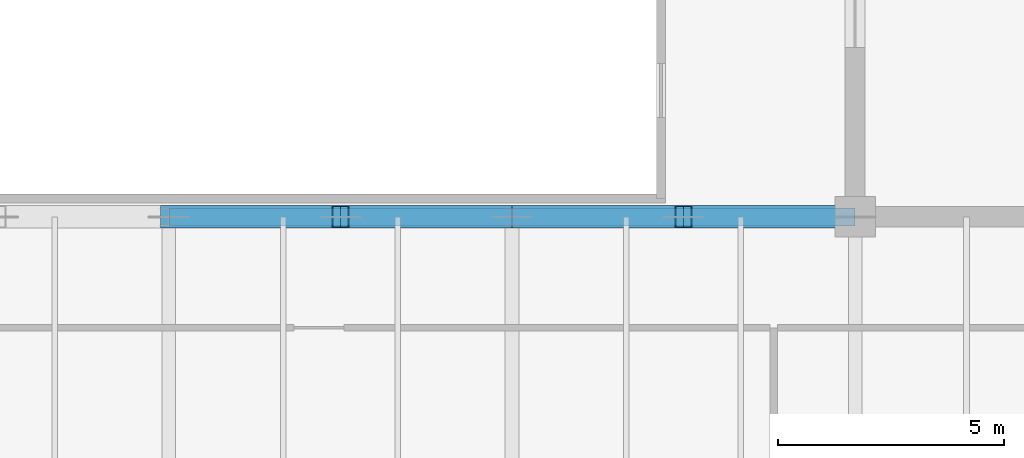
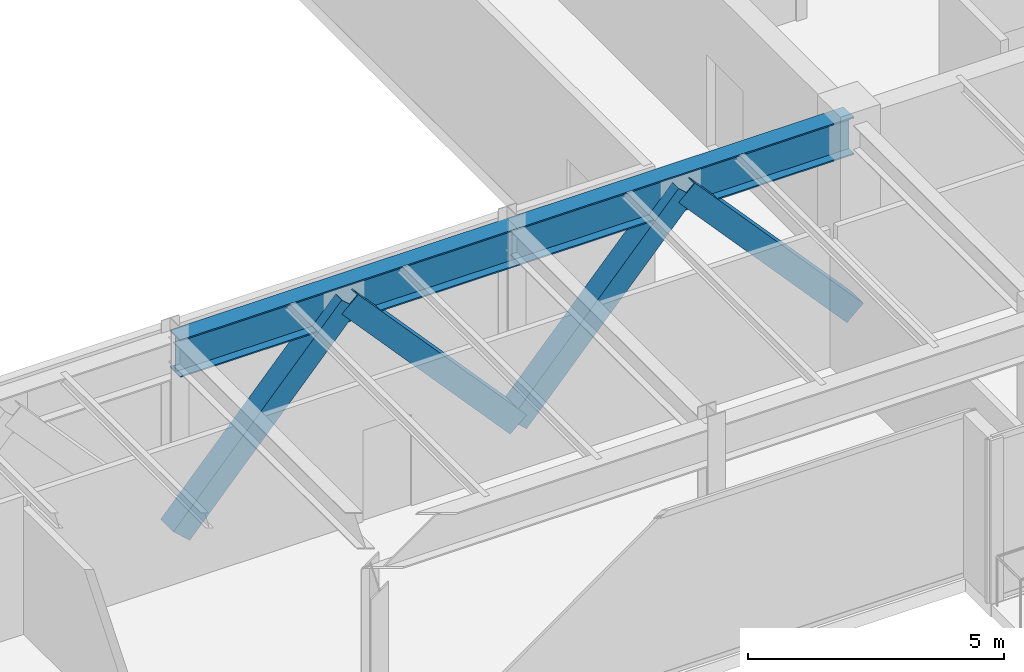
# One storey, part 12 of 34: 4 members, 2 beams.
"""IFC4 building model written with IfcOpenShell, lengths in metres."""

from ifc_helpers import new_model, si_unit, direction, frame, origin, origin_2d, place, context, subcontext, project, spatial, hollow_rectangle, i_section, extrude, source, transform, mapped, material, material_profile, profile_set, type_object, type_shapes, element, save


model = new_model("IFC4")

# Units and contexts
model_context = context("Model", 3, precision=1e-05, world=origin(), true_north=direction((0.0, 1.0)))
body_context = subcontext(model_context, "Body", "Model", "MODEL_VIEW")
ifc_project = project(units=[si_unit("LENGTHUNIT", "METRE"), si_unit("AREAUNIT", "SQUARE_METRE"), si_unit("VOLUMEUNIT", "CUBIC_METRE"), si_unit("PLANEANGLEUNIT", "RADIAN"), si_unit("MASSUNIT", "GRAM", prefix="KILO")], contexts=[model_context])

# Site, building, storey
site_placement = place(None, origin())
site = spatial("IfcSite", under=ifc_project, at=site_placement, CompositionType="ELEMENT")
building_placement = place(site_placement, origin())
building = spatial("IfcBuilding", under=site, at=building_placement, Name="Haelvirn Gate Laboratories", CompositionType="ELEMENT")
storey_placement = place(building_placement, frame((0.0, 0.0, 297.60009765625)))
storey = spatial("IfcBuildingStorey", under=building, at=storey_placement, Name="L71", CompositionType="ELEMENT", Elevation=297.60009765625)

# Beams
ifc_material = material(Name="Steel SM420", Category="steel")
ifc_material_profile_1 = material_profile(ifc_material, i_section(OverallWidth=0.39990234375, OverallDepth=0.89990234375, WebThickness=0.01904296875, FlangeThickness=0.031982421875, at=origin_2d()), Name="H-900x400x19x32")
ifc_profile_set_1 = profile_set([ifc_material_profile_1], Name="Steel SM420")
beam_type = type_object("IfcBeamType", Name="BM-TG-900", PredefinedType="BEAM", material=ifc_profile_set_1)
shared_shape_1 = source(origin(), body_context, "Body", "SweptSolid", [
    extrude(i_section(OverallWidth=0.39990234375, OverallDepth=0.89990234375, WebThickness=0.01904296875, FlangeThickness=0.031982421875, at=origin_2d()), origin(), (0.0, 0.0, 1.0), 7.60009765625),
])
type_shapes(beam_type, [shared_shape_1])
for number, where, z_axis, x_axis, name in (
    (1, (37.39990234375, 14.800048828125, 3.449951171875), (1.0, 0.0, 0.0), (0.0, 1.0, 0.0), "L71 Primary Girder Y14.8 (37.4-45.0)"),
    (2, (45.0, 14.800048828125, 3.449951171875), (1.0, 0.0, 0.0), (0.0, 1.0, 0.0), "L71 Primary Girder Y14.8 (45.0-52.6)"),
):
    element("IfcBeam", number, at=place(storey_placement, frame(where, z_axis=z_axis, x_axis=x_axis)), inside=storey, type_object=beam_type, Name=name, PredefinedType="BEAM", context=body_context, shape_type="MappedRepresentation", body=[
        mapped(shared_shape_1, transform((0.0, 0.0, 0.0), scale=1.0)),
    ])

# Members
ifc_material_profile_2 = material_profile(ifc_material, hollow_rectangle(XDim=0.5, YDim=0.5, WallThickness=0.02197265625, at=origin_2d()), Name="BOX-500x500x22")
ifc_profile_set_2 = profile_set([ifc_material_profile_2], Name="Steel SM420")
member_type = type_object("IfcMemberType", Name="MEM-ARCH-WEB", PredefinedType="BRACE", material=ifc_profile_set_2)
shared_shape_2 = source(origin(), body_context, "Body", "SweptSolid", [
    extrude(hollow_rectangle(XDim=0.5, YDim=0.5, WallThickness=0.02197265625, at=origin_2d()), origin(), (0.0, 0.0, 1.0), 5.663818359375),
])
type_shapes(member_type, [shared_shape_2])
for number, where, z_axis, x_axis, name in (
    (3, (37.39990234375, 14.800048828125, -0.75), (0.670922353302, 0.0, 0.741527609628), (0.0, 1.0, 0.0), "L71 Arch Truss Chevron Web Y14.8-3A"),
    (4, (41.199951171875, 14.800048828125, 3.449951171875), (0.670922353302, 0.0, -0.741527609628), (0.0, 1.0, 0.0), "L71 Arch Truss Chevron Web Y14.8-3B"),
    (5, (45.0, 14.800048828125, -0.75), (0.670922353302, 0.0, 0.741527609628), (0.0, 1.0, 0.0), "L71 Arch Truss Chevron Web Y14.8-4A"),
    (6, (48.800048828125, 14.800048828125, 3.449951171875), (0.670922353302, 0.0, -0.741527609628), (0.0, 1.0, 0.0), "L71 Arch Truss Chevron Web Y14.8-4B"),
):
    element("IfcMember", number, at=place(storey_placement, frame(where, z_axis=z_axis, x_axis=x_axis)), inside=storey, type_object=member_type, Name=name, PredefinedType="BRACE", context=body_context, shape_type="MappedRepresentation", body=[
        mapped(shared_shape_2, transform((0.0, 0.0, 0.0), scale=1.0)),
    ])

save(model, "model.ifc")
